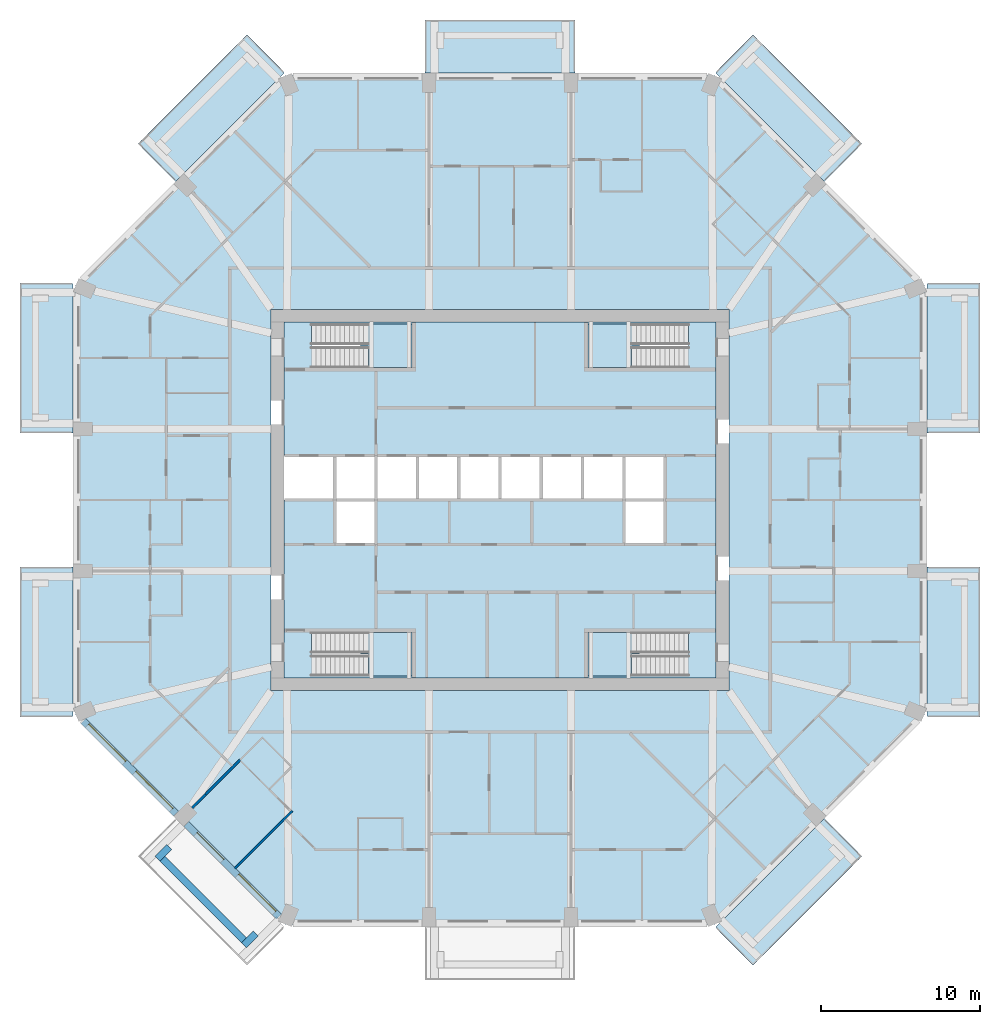
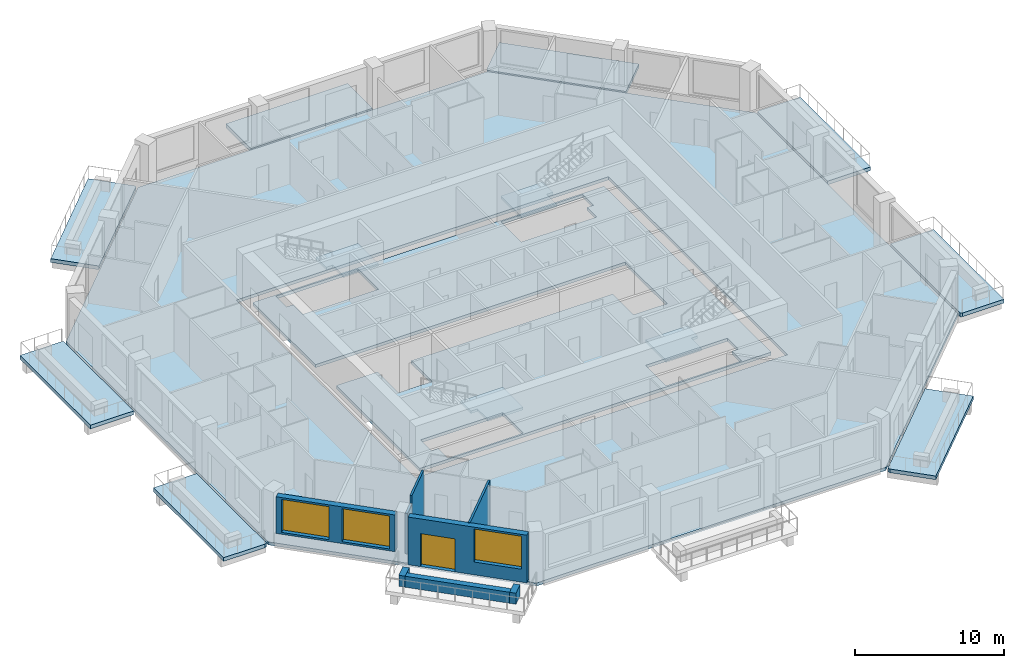
# One storey, part 2 of 13: 14 slabs, 8 walls, 3 windows, 1 door, 4 openings, 4 elements without a shape of their own.
"""IFC4 building model written with IfcOpenShell, lengths in metres."""

from ifc_helpers import new_model, si_unit, direction, frame, frame_2d, origin, place, context, subcontext, project, spatial, polyline, rectangle, outline, extrude, material, layer, layer_set, type_object, element, fill, aggregate, save


model = new_model("IFC4")

# Units and contexts
model_context = context("Model", 3, precision=1e-05, world=origin(), true_north=direction((0.0, 1.0)))
body_context = subcontext(model_context, "Body", "Model", "MODEL_VIEW")
ifc_project = project(units=[si_unit("LENGTHUNIT", "METRE"), si_unit("AREAUNIT", "SQUARE_METRE"), si_unit("VOLUMEUNIT", "CUBIC_METRE"), si_unit("PLANEANGLEUNIT", "RADIAN"), si_unit("MASSUNIT", "GRAM", prefix="KILO")], contexts=[model_context])

# Site, building, storey
site_placement = place(None, origin())
site = spatial("IfcSite", under=ifc_project, at=site_placement, CompositionType="ELEMENT")
building_placement = place(site_placement, origin())
building = spatial("IfcBuilding", under=site, at=building_placement, Name="Msitu Wima Residences", CompositionType="ELEMENT")
storey_placement = place(building_placement, frame((0.0, 0.0, 140.10009765625)))
storey = spatial("IfcBuildingStorey", under=building, at=storey_placement, Name="L32", CompositionType="ELEMENT", Elevation=140.10009765625)

# Slabs
ifc_material_1 = material(Name="Concrete C40/50", Category="concrete")
ifc_layer_1 = layer(ifc_material_1, 0.300048828125)
ifc_layer_set_1 = layer_set([ifc_layer_1], Name="Concrete C40/50")
slab_type_1 = type_object("IfcSlabType", Name="Balcony slab BS300", PredefinedType="FLOOR", material=ifc_layer_set_1)
slab_1_placement = place(storey_placement, frame((0.0, 0.0, -0.300048828125)))
element("IfcSlab", 1, at=slab_1_placement, inside=storey, type_object=slab_type_1, Name="Balcony E0 L32", PredefinedType="FLOOR", context=body_context, shape_type="SweptSolid", body=[
    extrude(outline(polyline([(26.85009765625, -13.105224609375), (26.85009765625, -13.105224609375), (26.85009765625, -4.918701171875), (26.85009765625, -4.918701171875), (26.85009765625, -4.21875), (30.199951171875, -4.21875), (30.199951171875, -13.656005859375), (27.003662109375, -13.656005859375), (26.85009765625, -13.59228515625), (26.85009765625, -13.105224609375), (26.85009765625, -13.105224609375)])), origin(), (0.0, 0.0, 1.0), 0.300048828125),
])
slab_2_placement = place(storey_placement, frame((0.0, 0.0, -0.300048828125)))
element("IfcSlab", 2, at=slab_2_placement, inside=storey, type_object=slab_type_1, Name="Balcony E2 L32", PredefinedType="FLOOR", context=body_context, shape_type="SweptSolid", body=[
    extrude(outline(polyline([(26.85009765625, 13.105224609375), (26.85009765625, 13.105224609375), (26.85009765625, 13.59228515625), (27.003662109375, 13.656005859375), (30.199951171875, 13.656005859375), (30.199951171875, 4.21875), (26.85009765625, 4.21875), (26.85009765625, 4.918701171875), (26.85009765625, 4.918701171875), (26.85009765625, 13.105224609375), (26.85009765625, 13.105224609375)])), origin(), (0.0, 0.0, 1.0), 0.300048828125),
])
slab_3_placement = place(storey_placement, frame((0.0, 0.0, -0.300048828125)))
element("IfcSlab", 3, at=slab_3_placement, inside=storey, type_object=slab_type_1, Name="Balcony NE1 L32", PredefinedType="FLOOR", context=body_context, shape_type="SweptSolid", body=[
    extrude(outline(polyline([(15.916015625, 29.263671875), (22.766845703125, 22.4130859375), (20.39794921875, 20.04443359375), (13.59228515625, 26.85009765625), (13.656005859375, 27.003662109375), (15.916015625, 29.263671875)])), origin(), (0.0, 0.0, 1.0), 0.300048828125),
])
slab_4_placement = place(storey_placement, frame((0.0, 0.0, -0.300048828125)))
element("IfcSlab", 4, at=slab_4_placement, inside=storey, type_object=slab_type_1, Name="Balcony N1 L32", PredefinedType="FLOOR", context=body_context, shape_type="SweptSolid", body=[
    extrude(outline(polyline([(-4.0185546875, 26.85009765625), (-4.0185546875, 26.85009765625), (-4.71875, 26.85009765625), (-4.71875, 30.199951171875), (4.71875, 30.199951171875), (4.71875, 26.85009765625), (4.0185546875, 26.85009765625), (4.0185546875, 26.85009765625), (-4.0185546875, 26.85009765625)])), origin(), (0.0, 0.0, 1.0), 0.300048828125),
])
slab_5_placement = place(storey_placement, frame((0.0, 0.0, -0.300048828125)))
element("IfcSlab", 5, at=slab_5_placement, inside=storey, type_object=slab_type_1, Name="Balcony NW0 L32", PredefinedType="FLOOR", context=body_context, shape_type="SweptSolid", body=[
    extrude(outline(polyline([(-22.766845703125, 22.4130859375), (-15.916015625, 29.263671875), (-13.656005859375, 27.003662109375), (-13.59228515625, 26.85009765625), (-20.39794921875, 20.04443359375), (-22.766845703125, 22.4130859375)])), origin(), (0.0, 0.0, 1.0), 0.300048828125),
])
slab_6_placement = place(storey_placement, frame((0.0, 0.0, -0.300048828125)))
element("IfcSlab", 6, at=slab_6_placement, inside=storey, type_object=slab_type_1, Name="Balcony W0 L32", PredefinedType="FLOOR", context=body_context, shape_type="SweptSolid", body=[
    extrude(outline(polyline([(-26.85009765625, 13.105224609375), (-26.85009765625, 13.105224609375), (-26.85009765625, 4.918701171875), (-26.85009765625, 4.918701171875), (-26.85009765625, 4.21875), (-30.199951171875, 4.21875), (-30.199951171875, 13.656005859375), (-27.003662109375, 13.656005859375), (-26.85009765625, 13.59228515625), (-26.85009765625, 13.105224609375), (-26.85009765625, 13.105224609375)])), origin(), (0.0, 0.0, 1.0), 0.300048828125),
])
slab_7_placement = place(storey_placement, frame((0.0, 0.0, -0.300048828125)))
element("IfcSlab", 7, at=slab_7_placement, inside=storey, type_object=slab_type_1, Name="Balcony W2 L32", PredefinedType="FLOOR", context=body_context, shape_type="SweptSolid", body=[
    extrude(outline(polyline([(-26.85009765625, -13.105224609375), (-26.85009765625, -13.105224609375), (-26.85009765625, -13.59228515625), (-27.003662109375, -13.656005859375), (-30.199951171875, -13.656005859375), (-30.199951171875, -4.21875), (-26.85009765625, -4.21875), (-26.85009765625, -4.918701171875), (-26.85009765625, -4.918701171875), (-26.85009765625, -13.105224609375), (-26.85009765625, -13.105224609375)])), origin(), (0.0, 0.0, 1.0), 0.300048828125),
])
slab_8_placement = place(storey_placement, frame((0.0, 0.0, -0.300048828125)))
element("IfcSlab", 8, at=slab_8_placement, inside=storey, type_object=slab_type_1, Name="Balcony SE0 L32", PredefinedType="FLOOR", context=body_context, shape_type="SweptSolid", body=[
    extrude(outline(polyline([(22.766845703125, -22.4130859375), (15.916015625, -29.263671875), (13.656005859375, -27.003662109375), (13.59228515625, -26.85009765625), (20.39794921875, -20.04443359375), (22.766845703125, -22.4130859375)])), origin(), (0.0, 0.0, 1.0), 0.300048828125),
])
ifc_layer_2 = layer(ifc_material_1, 0.25)
ifc_layer_set_2 = layer_set([ifc_layer_2], Name="Concrete C40/50")
slab_type_2 = type_object("IfcSlabType", Name="Core floor CF250", PredefinedType="FLOOR", material=ifc_layer_set_2)
slab_9_placement = place(storey_placement, frame((0.0, 0.0, -0.25)))
element("IfcSlab", 9, at=slab_9_placement, inside=storey, type_object=slab_type_2, Name="Core floor", PredefinedType="FLOOR", context=body_context, shape_type="SweptSolid", body=[
    extrude(outline(polyline([(-13.60009765625, 11.199951171875), (-13.60009765625, 2.800048828125), (-10.39990234375, 2.800048828125), (-7.800048828125, 2.800048828125), (-5.199951171875, 2.800048828125), (-2.60009765625, 2.800048828125), (0.0, 2.800048828125), (2.60009765625, 2.800048828125), (5.199951171875, 2.800048828125), (7.800048828125, 2.800048828125), (10.39990234375, 2.800048828125), (10.39990234375, 0.0), (10.39990234375, -2.800048828125), (7.800048828125, -2.800048828125), (7.800048828125, 0.0), (5.199951171875, 0.0), (2.60009765625, 0.0), (0.0, 0.0), (-2.60009765625, 0.0), (-5.199951171875, 0.0), (-7.800048828125, 0.0), (-7.800048828125, -2.800048828125), (-10.39990234375, -2.800048828125), (-10.39990234375, 0.0), (-13.60009765625, 0.0), (-13.60009765625, -11.199951171875), (13.60009765625, -11.199951171875), (13.60009765625, 11.199951171875), (-13.60009765625, 11.199951171875)]), holes=[polyline([(-11.375, -11.074951171875), (-11.375, -9.77490234375), (-11.87451171875, -9.77490234375), (-11.87451171875, -8.324951171875), (-5.52490234375, -8.324951171875), (-5.52490234375, -11.074951171875), (-11.375, -11.074951171875)]), polyline([(-11.375, 9.625), (-11.87451171875, 9.625), (-11.87451171875, 11.074951171875), (-5.52490234375, 11.074951171875), (-5.52490234375, 8.324951171875), (-11.375, 8.324951171875), (-11.375, 9.625)]), polyline([(11.375, -9.77490234375), (11.375, -11.074951171875), (5.52490234375, -11.074951171875), (5.52490234375, -8.324951171875), (11.87451171875, -8.324951171875), (11.87451171875, -9.77490234375), (11.375, -9.77490234375)]), polyline([(11.375, 9.625), (11.375, 8.324951171875), (5.52490234375, 8.324951171875), (5.52490234375, 11.074951171875), (11.87451171875, 11.074951171875), (11.87451171875, 9.625), (11.375, 9.625)])]), origin(), (0.0, 0.0, 1.0), 0.25),
])
ifc_layer_3 = layer(ifc_material_1, 0.25)
ifc_layer_set_3 = layer_set([ifc_layer_3], Name="Concrete C40/50")
slab_type_3 = type_object("IfcSlabType", Name="PT flat slab 250 Concrete C40/50", PredefinedType="FLOOR", material=ifc_layer_set_3)
slab_10_placement = place(storey_placement, frame((0.0, 0.0, -0.25)))
element("IfcSlab", 10, at=slab_10_placement, inside=storey, type_object=slab_type_3, Name="Floor slab L32", PredefinedType="FLOOR", context=body_context, shape_type="SweptSolid", body=[
    extrude(outline(polyline([(26.699951171875, -13.5302734375), (13.5302734375, -26.699951171875), (-13.5302734375, -26.699951171875), (-26.699951171875, -13.5302734375), (-26.699951171875, 13.5302734375), (-13.5302734375, 26.699951171875), (13.5302734375, 26.699951171875), (26.699951171875, 13.5302734375), (26.699951171875, -13.5302734375)]), holes=[polyline([(-14.39990234375, -12.0), (14.39990234375, -12.0), (14.39990234375, 12.0), (-14.39990234375, 12.0), (-14.39990234375, -12.0)])]), origin(), (0.0, 0.0, 1.0), 0.25),
])

# Stair, slab
stair_type = type_object("IfcStairType", Name="Exit stair ES1615-130", PredefinedType="HALF_TURN_STAIR", material=ifc_material_1)
stair_1_placement = place(storey_placement, origin())
stair_1 = element("IfcStair", 11, at=stair_1_placement, inside=storey, type_object=stair_type, Name="Exit stair 1", PredefinedType="HALF_TURN_STAIR")
ifc_layer_4 = layer(ifc_material_1, 0.199951171875)
ifc_layer_set_4 = layer_set([ifc_layer_4], Name="Concrete C40/50")
slab_type_4 = type_object("IfcSlabType", Name="Stair landing SL200", PredefinedType="LANDING", material=ifc_layer_set_4)
slab_11_placement = place(storey_placement, frame((0.0, 0.0, 1.89990234375)))
slab_11 = element("IfcSlab", 12, at=slab_11_placement, type_object=slab_type_4, Name="S1 landing 1", PredefinedType="LANDING", context=body_context, shape_type="SweptSolid", body=[
    extrude(outline(polyline([(-5.52490234375, 8.324951171875), (-8.275390625, 8.324951171875), (-8.275390625, 9.699951171875), (-8.77490234375, 9.699951171875), (-8.77490234375, 11.074951171875), (-5.52490234375, 11.074951171875), (-5.52490234375, 8.324951171875)])), origin(), (0.0, 0.0, 1.0), 0.199951171875),
])
aggregate(stair_1, [slab_11])

stair_2_placement = place(storey_placement, origin())
stair_2 = element("IfcStair", 13, at=stair_2_placement, inside=storey, type_object=stair_type, Name="Exit stair 2", PredefinedType="HALF_TURN_STAIR")
slab_12_placement = place(storey_placement, frame((0.0, 0.0, 1.89990234375)))
slab_12 = element("IfcSlab", 14, at=slab_12_placement, type_object=slab_type_4, Name="S2 landing 1", PredefinedType="LANDING", context=body_context, shape_type="SweptSolid", body=[
    extrude(outline(polyline([(-5.52490234375, -11.074951171875), (-8.275390625, -11.074951171875), (-8.275390625, -9.699951171875), (-8.77490234375, -9.699951171875), (-8.77490234375, -8.324951171875), (-5.52490234375, -8.324951171875), (-5.52490234375, -11.074951171875)])), origin(), (0.0, 0.0, 1.0), 0.199951171875),
])
aggregate(stair_2, [slab_12])

stair_3_placement = place(storey_placement, origin())
stair_3 = element("IfcStair", 15, at=stair_3_placement, inside=storey, type_object=stair_type, Name="Exit stair 3", PredefinedType="HALF_TURN_STAIR")
slab_13_placement = place(storey_placement, frame((0.0, 0.0, 1.89990234375)))
slab_13 = element("IfcSlab", 16, at=slab_13_placement, type_object=slab_type_4, Name="S3 landing 1", PredefinedType="LANDING", context=body_context, shape_type="SweptSolid", body=[
    extrude(outline(polyline([(5.52490234375, 8.324951171875), (8.275390625, 8.324951171875), (8.275390625, 9.699951171875), (8.77490234375, 9.699951171875), (8.77490234375, 11.074951171875), (5.52490234375, 11.074951171875), (5.52490234375, 8.324951171875)])), origin(), (0.0, 0.0, 1.0), 0.199951171875),
])
aggregate(stair_3, [slab_13])

stair_4_placement = place(storey_placement, origin())
stair_4 = element("IfcStair", 17, at=stair_4_placement, inside=storey, type_object=stair_type, Name="Exit stair 4", PredefinedType="HALF_TURN_STAIR")
slab_14_placement = place(storey_placement, frame((0.0, 0.0, 1.89990234375)))
slab_14 = element("IfcSlab", 18, at=slab_14_placement, type_object=slab_type_4, Name="S4 landing 1", PredefinedType="LANDING", context=body_context, shape_type="SweptSolid", body=[
    extrude(outline(polyline([(5.52490234375, -11.074951171875), (8.275390625, -11.074951171875), (8.275390625, -9.699951171875), (8.77490234375, -9.699951171875), (8.77490234375, -8.324951171875), (5.52490234375, -8.324951171875), (5.52490234375, -11.074951171875)])), origin(), (0.0, 0.0, 1.0), 0.199951171875),
])
aggregate(stair_4, [slab_14])

# Walls
ifc_material_2 = material(Name="Facing brick")
ifc_layer_5 = layer(ifc_material_2, 0.06494140625, Name="Facing brick")
ifc_layer_6 = layer(ifc_material_1, 0.156005859375, Name="Concrete C40/50")
ifc_material_3 = material(Name="Waterproofing membrane")
ifc_layer_7 = layer(ifc_material_3, 0.00390625, Name="Waterproofing membrane")
ifc_material_4 = material(Name="Planting soil and planting")
ifc_layer_8 = layer(ifc_material_4, 0.22509765625, Name="Planting soil and planting")
ifc_layer_set_5 = layer_set([ifc_layer_5, ifc_layer_6, ifc_layer_7, ifc_layer_8], Name="Concrete C40/50")
wall_type_1 = type_object("IfcWallType", Name="Balcony planter PLANTER PL450", PredefinedType="USERDEFINED", material=ifc_layer_set_5)
wall_1_placement = place(storey_placement, frame((-21.228759765625, -22.572265625, 0.0), z_axis=(0.0, 0.0, 1.0), x_axis=(0.707106781187, -0.707106781187, 0.0)))
element("IfcWall", 19, at=wall_1_placement, inside=storey, type_object=wall_type_1, Name="Balcony planter SW1 L32", ObjectType="PLANTER", PredefinedType="USERDEFINED", context=body_context, shape_type="SweptSolid", body=[
    extrude(rectangle(XDim=7.23828125, YDim=0.449951171875, at=frame_2d((3.619140625, 0.0))), origin(), (0.0, 0.0, 1.0), 0.89990234375),
])
for number, where, z_axis, x_axis, name in (
    (20, (-20.804443359375, -21.829833984375, 0.0), (0.0, 0.0, 1.0), (-0.707106781187, -0.707106781187, 0.0), "Balcony planter SW1 L32"),
    (21, (-15.3681640625, -27.26611328125, 0.0), (0.0, 0.0, 1.0), (-0.706990528533, -0.707223014731, 0.0), "Balcony planter SW1 L32"),
):
    element("IfcWall", number, at=place(storey_placement, frame(where, z_axis=z_axis, x_axis=x_axis)), inside=storey, type_object=wall_type_1, Name=name, ObjectType="PLANTER", PredefinedType="USERDEFINED", context=body_context, shape_type="SweptSolid", body=[
        extrude(rectangle(XDim=1.050048828125, YDim=0.449951171875, at=frame_2d((0.52490234375, 0.0))), origin(), (0.0, 0.0, 1.0), 0.89990234375),
    ])

# Wall, openings, windows
ifc_material_5 = material(Name="Brick (red buff mix)", Category="masonry")
ifc_layer_9 = layer(ifc_material_5, 0.449951171875)
ifc_layer_set_6 = layer_set([ifc_layer_9], Name="Brick (red buff mix)")
wall_type_2 = type_object("IfcWallType", Name="Brick infill wall BW450", PredefinedType="SOLIDWALL", material=ifc_layer_set_6)
wall_2_placement = place(storey_placement, frame((-26.214599609375, -13.909423828125, 0.89990234375), z_axis=(0.0, 0.0, 1.0), x_axis=(0.707106781187, -0.707106781187, 0.0)))
wall_2 = element("IfcWall", 22, at=wall_2_placement, inside=storey, type_object=wall_type_2, Name="Brick infill wall L32 SW0", PredefinedType="SOLIDWALL", context=body_context, shape_type="SweptSolid", body=[
    extrude(rectangle(XDim=8.251220703125, YDim=0.449951171875, at=frame_2d((4.12548828125, 0.0))), origin(), (0.0, 0.0, 1.0), 3.0),
])
opening_1_placement = place(wall_2_placement, frame((0.37548828125, 0.0, 0.14990234375)))
opening_1 = element("IfcOpeningElement", 23, at=opening_1_placement, cuts=wall_2, Name="Opening W30-32.024", PredefinedType="OPENING", context=body_context, shape_type="SweptSolid", body=[
    extrude(rectangle(XDim=3.300048828125, YDim=2.699951171875, at=frame_2d((1.64990234375, 1.35009765625))), frame((0.0, 0.23486328125, 0.0), z_axis=(0.0, -1.0, 0.0), x_axis=(1.0, 0.0, 0.0)), (0.0, 0.0, 1.0), 0.469970703125),
])
opening_2_placement = place(wall_2_placement, frame((4.57568359375, 0.0, 0.14990234375)))
opening_2 = element("IfcOpeningElement", 24, at=opening_2_placement, cuts=wall_2, Name="Opening W30-32.025", PredefinedType="OPENING", context=body_context, shape_type="SweptSolid", body=[
    extrude(rectangle(XDim=3.300048828125, YDim=2.699951171875, at=frame_2d((1.64990234375, 1.35009765625))), frame((0.0, 0.23486328125, 0.0), z_axis=(0.0, -1.0, 0.0), x_axis=(1.0, 0.0, 0.0)), (0.0, 0.0, 1.0), 0.469970703125),
])
ifc_material_6 = material(Name="Anodised aluminium, bronze finish, clear low-emissivity double glazing", Category="aluminium")
window_type = type_object("IfcWindowType", Name="Window W3300x2700", PartitioningType="DOUBLE_PANEL_VERTICAL", PredefinedType="WINDOW", material=ifc_material_6)
window_1_placement = place(opening_1_placement, origin())
window_1 = element("IfcWindow", 25, at=window_1_placement, inside=storey, type_object=window_type, Name="Window L32 SW0.1", OverallHeight=2.699951171875, OverallWidth=3.300048828125, PartitioningType="SINGLE_PANEL", PredefinedType="WINDOW", context=body_context, shape_type="SweptSolid", body=[
    extrude(rectangle(XDim=3.300048828125, YDim=2.699951171875, at=frame_2d((1.64990234375, 1.35009765625))), frame((0.0, 0.135009765625, 0.0), z_axis=(0.0, -1.0, 0.0), x_axis=(1.0, 0.0, 0.0)), (0.0, 0.0, 1.0), 0.06005859375),
])
fill(opening_1, window_1)
window_2_placement = place(opening_2_placement, origin())
window_2 = element("IfcWindow", 26, at=window_2_placement, inside=storey, type_object=window_type, Name="Window L32 SW0.2", OverallHeight=2.699951171875, OverallWidth=3.300048828125, PartitioningType="SINGLE_PANEL", PredefinedType="WINDOW", context=body_context, shape_type="SweptSolid", body=[
    extrude(rectangle(XDim=3.300048828125, YDim=2.699951171875, at=frame_2d((1.64990234375, 1.35009765625))), frame((0.0, 0.135009765625, 0.0), z_axis=(0.0, -1.0, 0.0), x_axis=(1.0, 0.0, 0.0)), (0.0, 0.0, 1.0), 0.06005859375),
])
fill(opening_2, window_2)

# Wall, openings, door, window
wall_3_placement = place(storey_placement, frame((-19.743896484375, -20.380126953125, 0.0), z_axis=(0.0, 0.0, 1.0), x_axis=(0.707106781187, -0.707106781187, 0.0)))
wall_3 = element("IfcWall", 27, at=wall_3_placement, inside=storey, type_object=wall_type_2, Name="Brick infill wall L32 SW1", PredefinedType="SOLIDWALL", context=body_context, shape_type="SweptSolid", body=[
    extrude(rectangle(XDim=8.251220703125, YDim=0.449951171875, at=frame_2d((4.12548828125, 0.0))), origin(), (0.0, 0.0, 1.0), 3.89990234375),
])
opening_3_placement = place(wall_3_placement, frame((0.86279296875, 0.0, 0.0)))
opening_3 = element("IfcOpeningElement", 28, at=opening_3_placement, cuts=wall_3, Name="Opening D30-32.008", PredefinedType="OPENING", context=body_context, shape_type="SweptSolid", body=[
    extrude(rectangle(XDim=2.39990234375, YDim=2.699951171875, at=frame_2d((1.199951171875, 1.35009765625))), frame((0.0, 0.23486328125, 0.0), z_axis=(0.0, -1.0, 0.0), x_axis=(1.0, 0.0, 0.0)), (0.0, 0.0, 1.0), 0.469970703125),
])
opening_4_placement = place(wall_3_placement, frame((4.57568359375, 0.0, 1.050048828125)))
opening_4 = element("IfcOpeningElement", 29, at=opening_4_placement, cuts=wall_3, Name="Opening W30-32.026", PredefinedType="OPENING", context=body_context, shape_type="SweptSolid", body=[
    extrude(rectangle(XDim=3.300048828125, YDim=2.699951171875, at=frame_2d((1.64990234375, 1.35009765625))), frame((0.0, 0.23486328125, 0.0), z_axis=(0.0, -1.0, 0.0), x_axis=(1.0, 0.0, 0.0)), (0.0, 0.0, 1.0), 0.469970703125),
])
door_type = type_object("IfcDoorType", Name="Balcony door D2400x2700", OperationType="SLIDING_TO_LEFT", PredefinedType="DOOR", material=ifc_material_6)
door_placement = place(opening_3_placement, origin())
door = element("IfcDoor", 30, at=door_placement, inside=storey, type_object=door_type, Name="Balcony door L32 SW1", OperationType="SINGLE_SWING_LEFT", OverallHeight=2.699951171875, OverallWidth=2.39990234375, PredefinedType="DOOR", context=body_context, shape_type="SweptSolid", body=[
    extrude(rectangle(XDim=2.39990234375, YDim=2.699951171875, at=frame_2d((1.199951171875, 1.35009765625))), frame((0.0, 0.1298828125, 0.0), z_axis=(0.0, -1.0, 0.0), x_axis=(1.0, 0.0, 0.0)), (0.0, 0.0, 1.0), 0.050048828125),
])
fill(opening_3, door)
window_3_placement = place(opening_4_placement, origin())
window_3 = element("IfcWindow", 31, at=window_3_placement, inside=storey, type_object=window_type, Name="Window L32 SW1.2", OverallHeight=2.699951171875, OverallWidth=3.300048828125, PartitioningType="SINGLE_PANEL", PredefinedType="WINDOW", context=body_context, shape_type="SweptSolid", body=[
    extrude(rectangle(XDim=3.300048828125, YDim=2.699951171875, at=frame_2d((1.64990234375, 1.35009765625))), frame((0.0, 0.135009765625, 0.0), z_axis=(0.0, -1.0, 0.0), x_axis=(1.0, 0.0, 0.0)), (0.0, 0.0, 1.0), 0.06005859375),
])
fill(opening_4, window_3)

# Walls
ifc_material_7 = material(Name="Plaster")
ifc_layer_10 = layer(ifc_material_7, 0.011962890625, Name="Plaster")
ifc_material_8 = material(Name="Concrete blockwork", Category="masonry")
ifc_layer_11 = layer(ifc_material_8, 0.1259765625, Name="Concrete blockwork")
ifc_layer_12 = layer(ifc_material_7, 0.011962890625, Name="Plaster")
ifc_layer_set_7 = layer_set([ifc_layer_10, ifc_layer_11, ifc_layer_12], Name="Concrete blockwork")
wall_type_3 = type_object("IfcWallType", Name="Partition PW150", PredefinedType="PARTITIONING", material=ifc_layer_set_7)
wall_4_placement = place(storey_placement, frame((-19.37255859375, -19.37255859375, 0.0), z_axis=(0.0, 0.0, 1.0), x_axis=(0.707106781187, 0.707106781187, 0.0)))
element("IfcWall", 32, at=wall_4_placement, inside=storey, type_object=wall_type_3, Name="Partition", PredefinedType="PARTITIONING", context=body_context, shape_type="SweptSolid", body=[
    extrude(rectangle(XDim=1.209228515625, YDim=0.14990234375, at=frame_2d((0.6044921875, 0.0))), origin(), (0.0, 0.0, 1.0), 3.2998046875),
])
wall_5_placement = place(storey_placement, frame((-18.517578125, -18.517578125, 0.0), z_axis=(0.0, 0.0, 1.0), x_axis=(0.707106781187, 0.707106781187, 0.0)))
element("IfcWall", 33, at=wall_5_placement, inside=storey, type_object=wall_type_3, Name="Partition", PredefinedType="PARTITIONING", context=body_context, shape_type="SweptSolid", body=[
    extrude(rectangle(XDim=3.060791015625, YDim=0.14990234375, at=frame_2d((1.5302734375, 0.0))), origin(), (0.0, 0.0, 1.0), 3.949951171875),
])
wall_6_placement = place(storey_placement, frame((-16.693359375, -23.1904296875, 0.0), z_axis=(0.0, 0.0, 1.0), x_axis=(0.707106781187, 0.707106781187, 0.0)))
element("IfcWall", 34, at=wall_6_placement, inside=storey, type_object=wall_type_3, Name="Partition", PredefinedType="PARTITIONING", context=body_context, shape_type="SweptSolid", body=[
    extrude(rectangle(XDim=5.1298828125, YDim=0.14990234375, at=frame_2d((2.56494140625, 0.0))), origin(), (0.0, 0.0, 1.0), 3.949951171875),
])

save(model, "model.ifc")
